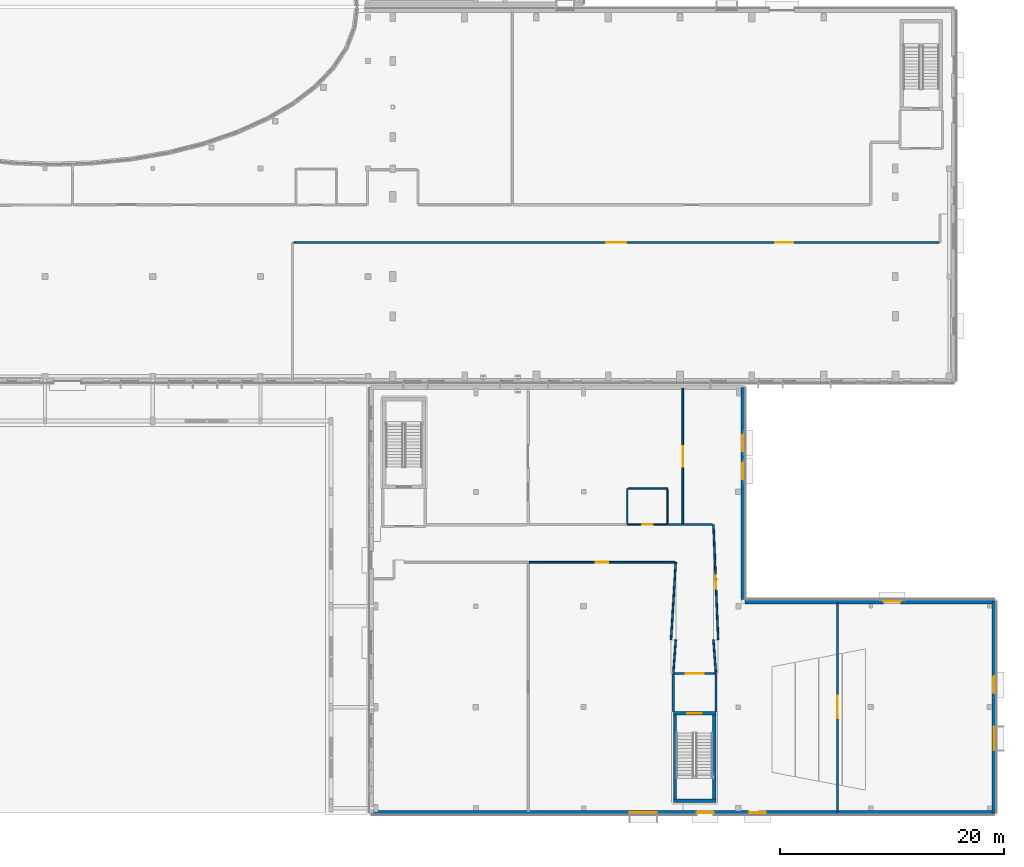
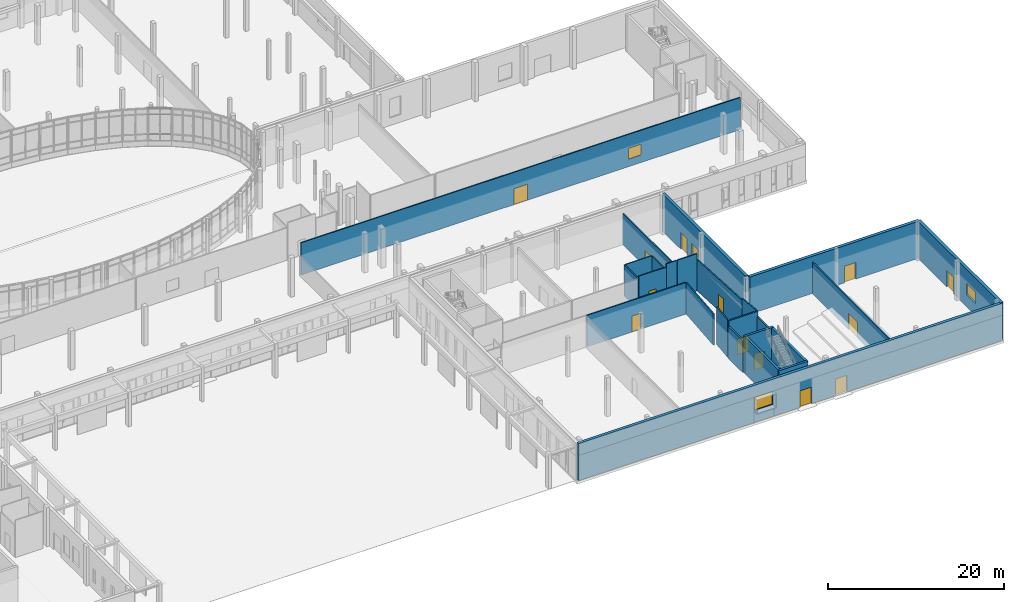
# One storey, part 50 of 84: 25 walls, 14 doors, 3 windows, 17 openings.
"""IFC4 building model written with IfcOpenShell, lengths in metres."""

from ifc_helpers import new_model, si_unit, direction, frame, frame_2d, origin, place, context, subcontext, project, spatial, rectangle, extrude, material, layer, layer_set, type_object, element, fill, save


model = new_model("IFC4")

# Units and contexts
model_context = context("Model", 3, precision=1e-05, world=origin(), true_north=direction((0.0, 1.0)))
body_context = subcontext(model_context, "Body", "Model", "MODEL_VIEW")
ifc_project = project(units=[si_unit("LENGTHUNIT", "METRE"), si_unit("AREAUNIT", "SQUARE_METRE"), si_unit("VOLUMEUNIT", "CUBIC_METRE"), si_unit("PLANEANGLEUNIT", "RADIAN"), si_unit("MASSUNIT", "GRAM", prefix="KILO")], contexts=[model_context])

# Site, building, storey
site_placement = place(None, origin())
site = spatial("IfcSite", under=ifc_project, at=site_placement, CompositionType="ELEMENT")
building_placement = place(site_placement, origin())
building = spatial("IfcBuilding", under=site, at=building_placement, Name="Mzevani Central Library", CompositionType="ELEMENT")
storey_placement = place(building_placement, origin())
storey = spatial("IfcBuildingStorey", under=building, at=storey_placement, Name="L00", CompositionType="ELEMENT", Elevation=0.0)

# Wall
ifc_material_1 = material(Name="Concrete C35/45", Category="concrete")
ifc_layer_1 = layer(ifc_material_1, 0.199951171875, Name="Compartment Wall 200")
ifc_layer_set_1 = layer_set([ifc_layer_1], Name="Concrete C35/45")
wall_type_1 = type_object("IfcWallType", Name="Compartment Wall 200", PredefinedType="STANDARD", material=ifc_layer_set_1)
wall_1_placement = place(storey_placement, frame((139.199951171875, 13.199951171875, 0.0), z_axis=(0.0, 0.0, 1.0), x_axis=(0.0, 1.0, 0.0)))
element("IfcWall", 1, at=wall_1_placement, inside=storey, type_object=wall_type_1, Name="L00 Stair Vestibule C6B Enclosure Wall 1", PredefinedType="STANDARD", context=body_context, shape_type="SweptSolid", body=[
    extrude(rectangle(XDim=3.400146484375, YDim=0.199951171875, at=frame_2d((1.7001953125, 0.0))), origin(), (0.0, 0.0, 1.0), 4.3701171875),
])

# Wall, opening, door
wall_2_placement = place(storey_placement, frame((139.199951171875, 16.60009765625, 0.0), z_axis=(0.0, 0.0, 1.0), x_axis=(1.0, 0.0, 0.0)))
wall_2 = element("IfcWall", 2, at=wall_2_placement, inside=storey, type_object=wall_type_1, Name="L00 Stair Vestibule C6B Enclosure Wall 2", PredefinedType="STANDARD", context=body_context, shape_type="SweptSolid", body=[
    extrude(rectangle(XDim=3.800048828125, YDim=0.199951171875, at=frame_2d((1.89990234375, 0.0))), origin(), (0.0, 0.0, 1.0), 5.139892578125),
])
opening_1_placement = place(wall_2_placement, frame((1.10009765625, 0.0, 0.0)))
opening_1 = element("IfcOpeningElement", 3, at=opening_1_placement, cuts=wall_2, Name="Opening FD-02", PredefinedType="OPENING", context=body_context, shape_type="SweptSolid", body=[
    extrude(rectangle(XDim=1.60009765625, YDim=2.199951171875, at=frame_2d((0.800048828125, 1.10009765625))), frame((0.0, 0.10986328125, 0.0), z_axis=(0.0, -1.0, 0.0), x_axis=(1.0, 0.0, 0.0)), (0.0, 0.0, 1.0), 0.219970703125),
])
ifc_material_2 = material(Name="Fire-rated steel door assembly", Category="steel")
door_type_1 = type_object("IfcDoorType", Name="Fire Lobby Double Door 1600x2200", OperationType="NOTDEFINED", PredefinedType="DOOR", material=ifc_material_2)
door_1_placement = place(opening_1_placement, origin())
door_1 = element("IfcDoor", 4, at=door_1_placement, inside=storey, type_object=door_type_1, Name="L00 Stair Vestibule C6B Smoke-Control Door", OperationType="DOUBLE_DOOR_SINGLE_SWING", OverallHeight=2.199951171875, OverallWidth=1.60009765625, PredefinedType="DOOR", context=body_context, shape_type="SweptSolid", body=[
    extrude(rectangle(XDim=1.60009765625, YDim=2.199951171875, at=frame_2d((0.800048828125, 1.10009765625))), frame((0.0, 0.02490234375, 0.0), z_axis=(0.0, -1.0, 0.0), x_axis=(1.0, 0.0, 0.0)), (0.0, 0.0, 1.0), 0.050048828125),
])
fill(opening_1, door_1)

# Walls
wall_3_placement = place(storey_placement, frame((143.0, 16.60009765625, 0.0), z_axis=(0.0, 0.0, 1.0), x_axis=(0.0, -1.0, 0.0)))
element("IfcWall", 5, at=wall_3_placement, inside=storey, type_object=wall_type_1, Name="L00 Stair Vestibule C6B Enclosure Wall 3", PredefinedType="STANDARD", context=body_context, shape_type="SweptSolid", body=[
    extrude(rectangle(XDim=3.400146484375, YDim=0.199951171875, at=frame_2d((1.7001953125, 0.0))), origin(), (0.0, 0.0, 1.0), 4.3701171875),
])
ifc_material_3 = material(Name="Concrete C40/50", Category="concrete")
ifc_layer_2 = layer(ifc_material_3, 0.300048828125, Name="Core Shear Wall 300")
ifc_layer_set_2 = layer_set([ifc_layer_2], Name="Concrete C40/50")
wall_type_2 = type_object("IfcWallType", Name="Core Shear Wall 300", PredefinedType="SHEAR", material=ifc_layer_set_2)
wall_4_placement = place(storey_placement, frame((143.0, 5.25, 0.0), z_axis=(0.0, 0.0, 1.0), x_axis=(-1.0, 0.0, 0.0)))
element("IfcWall", 6, at=wall_4_placement, inside=storey, type_object=wall_type_2, Name="L00 Core C6B Children's Pavilion East Stair Shear Wall (-y)", PredefinedType="SHEAR", context=body_context, shape_type="SweptSolid", body=[
    extrude(rectangle(XDim=3.800048828125, YDim=0.300048828125, at=frame_2d((1.89990234375, 0.0))), origin(), (0.0, 0.0, 1.0), 5.139892578125),
])
wall_5_placement = place(storey_placement, frame((139.35009765625, 5.10009765625, 0.0), z_axis=(0.0, 0.0, 1.0), x_axis=(0.0, 1.0, 0.0)))
element("IfcWall", 7, at=wall_5_placement, inside=storey, type_object=wall_type_2, Name="L00 Core C6B Children's Pavilion East Stair Shear Wall (-x)", PredefinedType="SHEAR", context=body_context, shape_type="SweptSolid", body=[
    extrude(rectangle(XDim=8.099853515625, YDim=0.300048828125, at=frame_2d((4.0498046875, 0.0))), origin(), (0.0, 0.0, 1.0), 5.139892578125),
])

# Wall, opening, door
wall_6_placement = place(storey_placement, frame((139.199951171875, 13.050048828125, 0.0), z_axis=(0.0, 0.0, 1.0), x_axis=(1.0, 0.0, 0.0)))
wall_6 = element("IfcWall", 8, at=wall_6_placement, inside=storey, type_object=wall_type_2, Name="L00 Core C6B Children's Pavilion East Stair Shear Wall (+y)", PredefinedType="SHEAR", context=body_context, shape_type="SweptSolid", body=[
    extrude(rectangle(XDim=3.800048828125, YDim=0.300048828125, at=frame_2d((1.89990234375, 0.0))), origin(), (0.0, 0.0, 1.0), 5.139892578125),
])
opening_2_placement = place(wall_6_placement, frame((1.25, 0.0, 0.0)))
opening_2 = element("IfcOpeningElement", 9, at=opening_2_placement, cuts=wall_6, Name="Opening FD-01", PredefinedType="OPENING", context=body_context, shape_type="SweptSolid", body=[
    extrude(rectangle(XDim=1.300048828125, YDim=2.199951171875, at=frame_2d((0.64990234375, 1.10009765625))), frame((0.0, 0.16015625, 0.0), z_axis=(0.0, -1.0, 0.0), x_axis=(1.0, 0.0, 0.0)), (0.0, 0.0, 1.0), 0.320068359375),
])
door_type_2 = type_object("IfcDoorType", Name="Fire Stair Door 1300x2200", OperationType="NOTDEFINED", PredefinedType="DOOR", material=ifc_material_2)
door_2_placement = place(opening_2_placement, origin())
door_2 = element("IfcDoor", 10, at=door_2_placement, inside=storey, type_object=door_type_2, Name="L00 ST-12 Protected Exit Stair Door", OperationType="SINGLE_SWING_RIGHT", OverallHeight=2.199951171875, OverallWidth=1.300048828125, PredefinedType="DOOR", context=body_context, shape_type="SweptSolid", body=[
    extrude(rectangle(XDim=1.300048828125, YDim=2.199951171875, at=frame_2d((0.64990234375, 1.10009765625))), frame((0.0, 0.02490234375, 0.0), z_axis=(0.0, -1.0, 0.0), x_axis=(1.0, 0.0, 0.0)), (0.0, 0.0, 1.0), 0.050048828125),
])
fill(opening_2, door_2)

# Wall
wall_7_placement = place(storey_placement, frame((142.85009765625, 13.199951171875, 0.0), z_axis=(0.0, 0.0, 1.0), x_axis=(0.0, -1.0, 0.0)))
element("IfcWall", 11, at=wall_7_placement, inside=storey, type_object=wall_type_2, Name="L00 Core C6B Children's Pavilion East Stair Shear Wall (+x)", PredefinedType="SHEAR", context=body_context, shape_type="SweptSolid", body=[
    extrude(rectangle(XDim=8.099853515625, YDim=0.300048828125, at=frame_2d((4.0498046875, 0.0))), origin(), (0.0, 0.0, 1.0), 5.139892578125),
])

# Wall, openings, door, window
ifc_material_4 = material(Name="Precast concrete C40/50", Category="concrete")
ifc_layer_3 = layer(ifc_material_4, 0.3798828125, Name="Exterior Thermal Concrete Wall 380")
ifc_layer_set_3 = layer_set([ifc_layer_3], Name="Precast concrete C40/50")
wall_type_3 = type_object("IfcWallType", Name="Exterior Thermal Concrete Wall 380", PredefinedType="STANDARD", material=ifc_layer_set_3)
wall_8_placement = place(storey_placement, frame((167.81005859375, 23.010009765625, 0.0), z_axis=(0.0, 0.0, 1.0), x_axis=(0.0, -1.0, 0.0)))
wall_8 = element("IfcWall", 12, at=wall_8_placement, inside=storey, type_object=wall_type_3, Name="L00 V6 Exterior Thermal Wall (100)", PredefinedType="STANDARD", context=body_context, shape_type="SweptSolid", body=[
    extrude(rectangle(XDim=18.820068359375, YDim=0.3798828125, at=frame_2d((9.41015625, 0.0))), origin(), (0.0, 0.0, 1.0), 5.139892578125),
])
opening_3_placement = place(wall_8_placement, frame((6.659912109375, 0.0, 0.0)))
opening_3 = element("IfcOpeningElement", 13, at=opening_3_placement, cuts=wall_8, Name="Opening ED-01", PredefinedType="OPENING", context=body_context, shape_type="SweptSolid", body=[
    extrude(rectangle(XDim=1.5, YDim=2.300048828125, at=frame_2d((0.75, 1.14990234375))), frame((0.0, 0.199951171875, 0.0), z_axis=(0.0, -1.0, 0.0), x_axis=(1.0, 0.0, 0.0)), (0.0, 0.0, 1.0), 0.39990234375),
])
opening_4_placement = place(wall_8_placement, frame((11.136474609375, 0.0, 1.64990234375)))
opening_4 = element("IfcOpeningElement", 14, at=opening_4_placement, cuts=wall_8, Name="Opening W-16", PredefinedType="OPENING", context=body_context, shape_type="SweptSolid", body=[
    extrude(rectangle(XDim=2.10009765625, YDim=1.60009765625, at=frame_2d((1.050048828125, 0.800048828125))), frame((0.0, 0.199951171875, 0.0), z_axis=(0.0, -1.0, 0.0), x_axis=(1.0, 0.0, 0.0)), (0.0, 0.0, 1.0), 0.39990234375),
])
ifc_material_5 = material(Name="Anodized architectural bronze")
door_type_3 = type_object("IfcDoorType", Name="Exterior Final Exit Door 1500x2300", OperationType="NOTDEFINED", PredefinedType="DOOR", material=ifc_material_5)
door_3_placement = place(opening_3_placement, origin())
door_3 = element("IfcDoor", 15, at=door_3_placement, inside=storey, type_object=door_type_3, Name="L00 V6 Exterior Entrance / Exit Door (38)", OperationType="SINGLE_SWING_LEFT", OverallHeight=2.300048828125, OverallWidth=1.5, PredefinedType="DOOR", context=body_context, shape_type="SweptSolid", body=[
    extrude(rectangle(XDim=1.5, YDim=2.300048828125, at=frame_2d((0.75, 1.14990234375))), frame((0.0, 0.02490234375, 0.0), z_axis=(0.0, -1.0, 0.0), x_axis=(1.0, 0.0, 0.0)), (0.0, 0.0, 1.0), 0.050048828125),
])
fill(opening_3, door_3)
ifc_material_6 = material(Name="Low-E triple glazing glass", Category="glass")
window_type_1 = type_object("IfcWindowType", Name="Reading Clerestory Window 2100x1600", PartitioningType="SINGLE_PANEL", PredefinedType="WINDOW", material=ifc_material_6)
window_1_placement = place(opening_4_placement, origin())
window_1 = element("IfcWindow", 16, at=window_1_placement, inside=storey, type_object=window_type_1, Name="L00 V6 Deep-Reveal Window W-16 (192)", OverallHeight=1.60009765625, OverallWidth=2.10009765625, PartitioningType="SINGLE_PANEL", PredefinedType="WINDOW", context=body_context, shape_type="SweptSolid", body=[
    extrude(rectangle(XDim=2.10009765625, YDim=1.60009765625, at=frame_2d((1.050048828125, 0.800048828125))), frame((0.0, 0.030029296875, 0.0), z_axis=(0.0, -1.0, 0.0), x_axis=(1.0, 0.0, 0.0)), (0.0, 0.0, 1.0), 0.06005859375),
])
fill(opening_4, window_1)

# Wall, openings, doors, window
wall_9_placement = place(storey_placement, frame((167.81005859375, 4.18994140625, 0.0), z_axis=(0.0, 0.0, 1.0), x_axis=(-1.0, 0.0, 0.0)))
wall_9 = element("IfcWall", 17, at=wall_9_placement, inside=storey, type_object=wall_type_3, Name="L00 V6 Exterior Thermal Wall (101)", PredefinedType="STANDARD", context=body_context, shape_type="SweptSolid", body=[
    extrude(rectangle(XDim=55.52001953125, YDim=0.3798828125, at=frame_2d((27.760009765625, 0.0))), origin(), (0.0, 0.0, 1.0), 5.139892578125),
])
opening_5_placement = place(wall_9_placement, frame((25.010009765625, 0.0, 0.0)))
opening_5 = element("IfcOpeningElement", 18, at=opening_5_placement, cuts=wall_9, Name="Opening ED-01", PredefinedType="OPENING", context=body_context, shape_type="SweptSolid", body=[
    extrude(rectangle(XDim=1.5, YDim=2.300048828125, at=frame_2d((0.75, 1.14990234375))), frame((0.0, 0.199951171875, 0.0), z_axis=(0.0, -1.0, 0.0), x_axis=(1.0, 0.0, 0.0)), (0.0, 0.0, 1.0), 0.39990234375),
])
opening_6_placement = place(wall_9_placement, frame((30.0703125, 0.0, 1.64990234375)))
opening_6 = element("IfcOpeningElement", 19, at=opening_6_placement, cuts=wall_9, Name="Opening W-17", PredefinedType="OPENING", context=body_context, shape_type="SweptSolid", body=[
    extrude(rectangle(XDim=2.39990234375, YDim=1.800048828125, at=frame_2d((1.199951171875, 0.89990234375))), frame((0.0, 0.199951171875, 0.0), z_axis=(0.0, -1.0, 0.0), x_axis=(1.0, 0.0, 0.0)), (0.0, 0.0, 1.0), 0.39990234375),
])
opening_7_placement = place(wall_9_placement, frame((20.360107421875, 0.0, 0.0)))
opening_7 = element("IfcOpeningElement", 20, at=opening_7_placement, cuts=wall_9, Name="Opening ED-01", PredefinedType="OPENING", context=body_context, shape_type="SweptSolid", body=[
    extrude(rectangle(XDim=1.5, YDim=2.300048828125, at=frame_2d((0.75, 1.14990234375))), frame((0.0, 0.199951171875, 0.0), z_axis=(0.0, -1.0, 0.0), x_axis=(1.0, 0.0, 0.0)), (0.0, 0.0, 1.0), 0.39990234375),
])
door_4_placement = place(opening_5_placement, origin())
door_4 = element("IfcDoor", 21, at=door_4_placement, inside=storey, type_object=door_type_3, Name="L00 V6 Exterior Entrance / Exit Door (39)", OperationType="SINGLE_SWING_RIGHT", OverallHeight=2.300048828125, OverallWidth=1.5, PredefinedType="DOOR", context=body_context, shape_type="SweptSolid", body=[
    extrude(rectangle(XDim=1.5, YDim=2.300048828125, at=frame_2d((0.75, 1.14990234375))), frame((0.0, 0.02490234375, 0.0), z_axis=(0.0, -1.0, 0.0), x_axis=(1.0, 0.0, 0.0)), (0.0, 0.0, 1.0), 0.050048828125),
])
fill(opening_5, door_4)
door_5_placement = place(opening_7_placement, origin())
door_5 = element("IfcDoor", 22, at=door_5_placement, inside=storey, type_object=door_type_3, Name="L00 ST-12 Final Grade Exit Discharge Door", OperationType="SINGLE_SWING_RIGHT", OverallHeight=2.300048828125, OverallWidth=1.5, PredefinedType="DOOR", context=body_context, shape_type="SweptSolid", body=[
    extrude(rectangle(XDim=1.5, YDim=2.300048828125, at=frame_2d((0.75, 1.14990234375))), frame((0.0, 0.02490234375, 0.0), z_axis=(0.0, -1.0, 0.0), x_axis=(1.0, 0.0, 0.0)), (0.0, 0.0, 1.0), 0.050048828125),
])
fill(opening_7, door_5)
window_type_2 = type_object("IfcWindowType", Name="Reading Clerestory Window 2400x1800", PartitioningType="SINGLE_PANEL", PredefinedType="WINDOW", material=ifc_material_6)
window_2_placement = place(opening_6_placement, origin())
window_2 = element("IfcWindow", 23, at=window_2_placement, inside=storey, type_object=window_type_2, Name="L00 V6 Deep-Reveal Window W-17 (193)", OverallHeight=1.800048828125, OverallWidth=2.39990234375, PartitioningType="SINGLE_PANEL", PredefinedType="WINDOW", context=body_context, shape_type="SweptSolid", body=[
    extrude(rectangle(XDim=2.39990234375, YDim=1.800048828125, at=frame_2d((1.199951171875, 0.89990234375))), frame((0.0, 0.030029296875, 0.0), z_axis=(0.0, -1.0, 0.0), x_axis=(1.0, 0.0, 0.0)), (0.0, 0.0, 1.0), 0.06005859375),
])
fill(opening_6, window_2)

# Wall, openings, doors
wall_10_placement = place(storey_placement, frame((145.409912109375, 42.110107421875, 0.0), z_axis=(0.0, 0.0, 1.0), x_axis=(0.0, -1.0, 0.0)))
wall_10 = element("IfcWall", 24, at=wall_10_placement, inside=storey, type_object=wall_type_3, Name="L00 V6 Exterior Thermal Wall (104)", PredefinedType="STANDARD", context=body_context, shape_type="SweptSolid", body=[
    extrude(rectangle(XDim=18.91015625, YDim=0.3798828125, at=frame_2d((9.455078125, 0.0))), origin(), (0.0, 0.0, 1.0), 5.139892578125),
])
opening_8_placement = place(wall_10_placement, frame((6.705078125, 0.0, 0.0)))
opening_8 = element("IfcOpeningElement", 25, at=opening_8_placement, cuts=wall_10, Name="Opening ED-01", PredefinedType="OPENING", context=body_context, shape_type="SweptSolid", body=[
    extrude(rectangle(XDim=1.5, YDim=2.300048828125, at=frame_2d((0.75, 1.14990234375))), frame((0.0, 0.199951171875, 0.0), z_axis=(0.0, -1.0, 0.0), x_axis=(1.0, 0.0, 0.0)), (0.0, 0.0, 1.0), 0.39990234375),
])
opening_9_placement = place(wall_10_placement, frame((4.2099609375, 0.0, 0.0)))
opening_9 = element("IfcOpeningElement", 26, at=opening_9_placement, cuts=wall_10, Name="Opening ED-01", PredefinedType="OPENING", context=body_context, shape_type="SweptSolid", body=[
    extrude(rectangle(XDim=1.5, YDim=2.300048828125, at=frame_2d((0.75, 1.14990234375))), frame((0.0, 0.199951171875, 0.0), z_axis=(0.0, -1.0, 0.0), x_axis=(1.0, 0.0, 0.0)), (0.0, 0.0, 1.0), 0.39990234375),
])
door_6_placement = place(opening_8_placement, origin())
door_6 = element("IfcDoor", 27, at=door_6_placement, inside=storey, type_object=door_type_3, Name="L00 V6 Exterior Entrance / Exit Door (42)", OperationType="SINGLE_SWING_LEFT", OverallHeight=2.300048828125, OverallWidth=1.5, PredefinedType="DOOR", context=body_context, shape_type="SweptSolid", body=[
    extrude(rectangle(XDim=1.5, YDim=2.300048828125, at=frame_2d((0.75, 1.14990234375))), frame((0.0, 0.02490234375, 0.0), z_axis=(0.0, -1.0, 0.0), x_axis=(1.0, 0.0, 0.0)), (0.0, 0.0, 1.0), 0.050048828125),
])
fill(opening_8, door_6)
door_7_placement = place(opening_9_placement, origin())
door_7 = element("IfcDoor", 28, at=door_7_placement, inside=storey, type_object=door_type_3, Name="L00 ST-11 Final Grade Exit Discharge Door", OperationType="SINGLE_SWING_LEFT", OverallHeight=2.300048828125, OverallWidth=1.5, PredefinedType="DOOR", context=body_context, shape_type="SweptSolid", body=[
    extrude(rectangle(XDim=1.5, YDim=2.300048828125, at=frame_2d((0.75, 1.14990234375))), frame((0.0, 0.02490234375, 0.0), z_axis=(0.0, -1.0, 0.0), x_axis=(1.0, 0.0, 0.0)), (0.0, 0.0, 1.0), 0.050048828125),
])
fill(opening_9, door_7)

# Wall, opening, door
wall_11_placement = place(storey_placement, frame((145.60009765625, 23.010009765625, 0.0), z_axis=(0.0, 0.0, 1.0), x_axis=(1.0, 0.0, 0.0)))
wall_11 = element("IfcWall", 29, at=wall_11_placement, inside=storey, type_object=wall_type_3, Name="L00 V6 Exterior Thermal Wall (105)", PredefinedType="STANDARD", context=body_context, shape_type="SweptSolid", body=[
    extrude(rectangle(XDim=22.2099609375, YDim=0.3798828125, at=frame_2d((11.10498046875, 0.0))), origin(), (0.0, 0.0, 1.0), 5.139892578125),
])
opening_10_placement = place(wall_11_placement, frame((12.35498046875, 0.0, 0.0)))
opening_10 = element("IfcOpeningElement", 30, at=opening_10_placement, cuts=wall_11, Name="Opening ED-01", PredefinedType="OPENING", context=body_context, shape_type="SweptSolid", body=[
    extrude(rectangle(XDim=1.5, YDim=2.300048828125, at=frame_2d((0.75, 1.14990234375))), frame((0.0, 0.199951171875, 0.0), z_axis=(0.0, -1.0, 0.0), x_axis=(1.0, 0.0, 0.0)), (0.0, 0.0, 1.0), 0.39990234375),
])
door_8_placement = place(opening_10_placement, origin())
door_8 = element("IfcDoor", 31, at=door_8_placement, inside=storey, type_object=door_type_3, Name="L00 V6 Exterior Entrance / Exit Door (43)", OperationType="SINGLE_SWING_RIGHT", OverallHeight=2.300048828125, OverallWidth=1.5, PredefinedType="DOOR", context=body_context, shape_type="SweptSolid", body=[
    extrude(rectangle(XDim=1.5, YDim=2.300048828125, at=frame_2d((0.75, 1.14990234375))), frame((0.0, 0.02490234375, 0.0), z_axis=(0.0, -1.0, 0.0), x_axis=(1.0, 0.0, 0.0)), (0.0, 0.0, 1.0), 0.050048828125),
])
fill(opening_10, door_8)

ifc_material_7 = material(Name="Fire-rated gypsum board", Category="gypsum")
ifc_layer_4 = layer(ifc_material_7, 0.1201171875, Name="Partition Acoustic 120")
ifc_layer_set_4 = layer_set([ifc_layer_4], Name="Fire-rated gypsum board")
wall_type_4 = type_object("IfcWallType", Name="Partition Acoustic 120", PredefinedType="PARTITIONING", material=ifc_layer_set_4)
wall_12_placement = place(storey_placement, frame((138.68994140625, 29.8798828125, 0.0), z_axis=(0.0, 0.0, 1.0), x_axis=(-1.0, 0.0, 0.0)))
wall_12 = element("IfcWall", 32, at=wall_12_placement, inside=storey, type_object=wall_type_4, Name="L00 V6 Partition IW-02 (169)", PredefinedType="PARTITIONING", context=body_context, shape_type="SweptSolid", body=[
    extrude(rectangle(XDim=3.599853515625, YDim=0.1201171875, at=frame_2d((1.7998046875, 0.0))), origin(), (0.0, 0.0, 1.0), 4.669921875),
])
opening_11_placement = place(wall_12_placement, frame((1.324951171875, 0.0, 0.0)))
opening_11 = element("IfcOpeningElement", 33, at=opening_11_placement, cuts=wall_12, Name="Opening ID-02", PredefinedType="OPENING", context=body_context, shape_type="SweptSolid", body=[
    extrude(rectangle(XDim=0.949951171875, YDim=2.14990234375, at=frame_2d((0.47509765625, 1.074951171875))), frame((0.0, 0.070068359375, 0.0), z_axis=(0.0, -1.0, 0.0), x_axis=(1.0, 0.0, 0.0)), (0.0, 0.0, 1.0), 0.14013671875),
])
ifc_material_8 = material(Name="Fire-rated solid oak leaf")
door_type_4 = type_object("IfcDoorType", Name="Accessible WC Door 950x2150", OperationType="NOTDEFINED", PredefinedType="DOOR", material=ifc_material_8)
door_9_placement = place(opening_11_placement, origin())
door_9 = element("IfcDoor", 34, at=door_9_placement, inside=storey, type_object=door_type_4, Name="L00 Accessible WC and Public Toilet V6 Door", OperationType="SINGLE_SWING_RIGHT", OverallHeight=2.14990234375, OverallWidth=0.949951171875, PredefinedType="DOOR", context=body_context, shape_type="SweptSolid", body=[
    extrude(rectangle(XDim=0.949951171875, YDim=2.14990234375, at=frame_2d((0.47509765625, 1.074951171875))), frame((0.0, 0.02490234375, 0.0), z_axis=(0.0, -1.0, 0.0), x_axis=(1.0, 0.0, 0.0)), (0.0, 0.0, 1.0), 0.050048828125),
])
fill(opening_11, door_9)

# Walls
wall_13_placement = place(storey_placement, frame((135.090087890625, 29.97998046875, 0.0), z_axis=(0.0, 0.0, 1.0), x_axis=(0.0, 1.0, 0.0)))
element("IfcWall", 35, at=wall_13_placement, inside=storey, type_object=wall_type_4, Name="L00 V6 Partition IW-02 (170)", PredefinedType="PARTITIONING", context=body_context, shape_type="SweptSolid", body=[
    extrude(rectangle(XDim=3.10009765625, YDim=0.1201171875, at=frame_2d((1.550048828125, 0.0))), origin(), (0.0, 0.0, 1.0), 4.320068359375),
])
wall_14_placement = place(storey_placement, frame((135.18994140625, 33.080078125, 0.0), z_axis=(0.0, 0.0, 1.0), x_axis=(1.0, 0.0, 0.0)))
element("IfcWall", 36, at=wall_14_placement, inside=storey, type_object=wall_type_4, Name="L00 V6 Partition IW-02 (171)", PredefinedType="PARTITIONING", context=body_context, shape_type="SweptSolid", body=[
    extrude(rectangle(XDim=3.5, YDim=0.1201171875, at=frame_2d((1.75, 0.0))), origin(), (0.0, 0.0, 1.0), 4.320068359375),
])
wall_15_placement = place(storey_placement, frame((138.68994140625, 32.97998046875, 0.0), z_axis=(0.0, 0.0, 1.0), x_axis=(0.0, -1.0, 0.0)))
element("IfcWall", 37, at=wall_15_placement, inside=storey, type_object=wall_type_4, Name="L00 V6 Partition IW-02 (172)", PredefinedType="PARTITIONING", context=body_context, shape_type="SweptSolid", body=[
    extrude(rectangle(XDim=3.0, YDim=0.1201171875, at=frame_2d((1.5, 0.0))), origin(), (0.0, 0.0, 1.0), 4.320068359375),
])

# Wall, openings, door, window
ifc_layer_5 = layer(ifc_material_7, 0.14990234375, Name="Partition Study 150")
ifc_layer_set_5 = layer_set([ifc_layer_5], Name="Fire-rated gypsum board")
wall_type_5 = type_object("IfcWallType", Name="Partition Study 150", PredefinedType="PARTITIONING", material=ifc_layer_set_5)
wall_16_placement = place(storey_placement, frame((105.35009765625, 55.02001953125, 0.0), z_axis=(0.0, 0.0, 1.0), x_axis=(1.0, 0.0, 0.0)))
wall_16 = element("IfcWall", 38, at=wall_16_placement, inside=storey, type_object=wall_type_5, Name="L00 V1 Partition IW-03 (77)", PredefinedType="PARTITIONING", context=body_context, shape_type="SweptSolid", body=[
    extrude(rectangle(XDim=57.52978515625, YDim=0.14990234375, at=frame_2d((28.764892578125, 0.0))), origin(), (0.0, 0.0, 1.0), 4.469970703125),
])
opening_12_placement = place(wall_16_placement, frame((27.864990234375, 0.0, 0.0)))
opening_12 = element("IfcOpeningElement", 39, at=opening_12_placement, cuts=wall_16, Name="Opening FD-06", PredefinedType="OPENING", context=body_context, shape_type="SweptSolid", body=[
    extrude(rectangle(XDim=1.800048828125, YDim=2.199951171875, at=frame_2d((0.89990234375, 1.10009765625))), frame((0.0, 0.0849609375, 0.0), z_axis=(0.0, -1.0, 0.0), x_axis=(1.0, 0.0, 0.0)), (0.0, 0.0, 1.0), 0.169921875),
])
opening_13_placement = place(wall_16_placement, frame((42.9228515625, 0.0, 1.050048828125)))
opening_13 = element("IfcOpeningElement", 40, at=opening_13_placement, cuts=wall_16, Name="Opening IW-W01", PredefinedType="OPENING", context=body_context, shape_type="SweptSolid", body=[
    extrude(rectangle(XDim=1.60009765625, YDim=1.5, at=frame_2d((0.800048828125, 0.75))), frame((0.0, 0.0849609375, 0.0), z_axis=(0.0, -1.0, 0.0), x_axis=(1.0, 0.0, 0.0)), (0.0, 0.0, 1.0), 0.169921875),
])
door_type_5 = type_object("IfcDoorType", Name="Fire Corridor Double Door 1800x2200", OperationType="NOTDEFINED", PredefinedType="DOOR", material=ifc_material_2)
door_10_placement = place(opening_12_placement, origin())
door_10 = element("IfcDoor", 41, at=door_10_placement, inside=storey, type_object=door_type_5, Name="L00 Main Sunlit Reading Hall Door", OperationType="DOUBLE_DOOR_SINGLE_SWING", OverallHeight=2.199951171875, OverallWidth=1.800048828125, PredefinedType="DOOR", context=body_context, shape_type="SweptSolid", body=[
    extrude(rectangle(XDim=1.800048828125, YDim=2.199951171875, at=frame_2d((0.89990234375, 1.10009765625))), frame((0.0, 0.02490234375, 0.0), z_axis=(0.0, -1.0, 0.0), x_axis=(1.0, 0.0, 0.0)), (0.0, 0.0, 1.0), 0.050048828125),
])
fill(opening_12, door_10)
window_type_3 = type_object("IfcWindowType", Name="Interior Borrowed Light 1600x1500", PartitioningType="SINGLE_PANEL", PredefinedType="WINDOW", material=ifc_material_6)
window_3_placement = place(opening_13_placement, origin())
window_3 = element("IfcWindow", 42, at=window_3_placement, inside=storey, type_object=window_type_3, Name="L00 Main Sunlit Reading Hall Acoustic Borrowed Light", OverallHeight=1.5, OverallWidth=1.60009765625, PartitioningType="SINGLE_PANEL", PredefinedType="WINDOW", context=body_context, shape_type="SweptSolid", body=[
    extrude(rectangle(XDim=1.60009765625, YDim=1.5, at=frame_2d((0.800048828125, 0.75))), frame((0.0, 0.030029296875, 0.0), z_axis=(0.0, -1.0, 0.0), x_axis=(1.0, 0.0, 0.0)), (0.0, 0.0, 1.0), 0.06005859375),
])
fill(opening_13, window_3)

# Walls
wall_17_placement = place(storey_placement, frame((139.419921875, 26.52001953125, 0.0), z_axis=(0.0, 0.0, 1.0), x_axis=(-0.060571614063, -0.998163854069, 0.0)))
element("IfcWall", 43, at=wall_17_placement, inside=storey, type_object=wall_type_5, Name="L00 V6 Partition IW-03 (179)", PredefinedType="PARTITIONING", context=body_context, shape_type="SweptSolid", body=[
    extrude(rectangle(XDim=6.9326171875, YDim=0.14990234375, at=frame_2d((3.46630859375, 0.0))), origin(), (0.0, 0.0, 1.0), 4.320068359375),
])
wall_18_placement = place(storey_placement, frame((139.419921875, 19.60009765625, 0.0), z_axis=(0.0, 0.0, 1.0), x_axis=(-0.073120239762, -0.997323132459, 0.0)))
element("IfcWall", 44, at=wall_18_placement, inside=storey, type_object=wall_type_5, Name="L00 V6 Partition IW-03 (180)", PredefinedType="PARTITIONING", context=body_context, shape_type="SweptSolid", body=[
    extrude(rectangle(XDim=2.908203125, YDim=0.14990234375, at=frame_2d((1.4541015625, 0.0))), origin(), (0.0, 0.0, 1.0), 5.139892578125),
])

# Wall, opening, door
wall_19_placement = place(storey_placement, frame((126.364990234375, 26.52001953125, 0.0), z_axis=(0.0, 0.0, 1.0), x_axis=(1.0, 0.0, 0.0)))
wall_19 = element("IfcWall", 45, at=wall_19_placement, inside=storey, type_object=wall_type_5, Name="L00 V6 Partition IW-03 (181)", PredefinedType="PARTITIONING", context=body_context, shape_type="SweptSolid", body=[
    extrude(rectangle(XDim=12.955078125, YDim=0.14990234375, at=frame_2d((6.4775390625, 0.0))), origin(), (0.0, 0.0, 1.0), 4.3701171875),
])
opening_14_placement = place(wall_19_placement, frame((5.902587890625, 0.0, 0.0)))
opening_14 = element("IfcOpeningElement", 46, at=opening_14_placement, cuts=wall_19, Name="Opening ID-09", PredefinedType="OPENING", context=body_context, shape_type="SweptSolid", body=[
    extrude(rectangle(XDim=1.14990234375, YDim=2.199951171875, at=frame_2d((0.574951171875, 1.10009765625))), frame((0.0, 0.0849609375, 0.0), z_axis=(0.0, -1.0, 0.0), x_axis=(1.0, 0.0, 0.0)), (0.0, 0.0, 1.0), 0.169921875),
])
door_type_6 = type_object("IfcDoorType", Name="Community Room Door 1150x2200", OperationType="NOTDEFINED", PredefinedType="DOOR", material=ifc_material_8)
door_11_placement = place(opening_14_placement, origin())
door_11 = element("IfcDoor", 47, at=door_11_placement, inside=storey, type_object=door_type_6, Name="L00 Family Quiet Nursing and Care Room Door", OperationType="SINGLE_SWING_RIGHT", OverallHeight=2.199951171875, OverallWidth=1.14990234375, PredefinedType="DOOR", context=body_context, shape_type="SweptSolid", body=[
    extrude(rectangle(XDim=1.14990234375, YDim=2.199951171875, at=frame_2d((0.574951171875, 1.10009765625))), frame((0.0, 0.02490234375, 0.0), z_axis=(0.0, -1.0, 0.0), x_axis=(1.0, 0.0, 0.0)), (0.0, 0.0, 1.0), 0.050048828125),
])
fill(opening_14, door_11)

wall_20_placement = place(storey_placement, frame((140.050048828125, 42.010009765625, 0.0), z_axis=(0.0, 0.0, 1.0), x_axis=(0.0, -1.0, 0.0)))
wall_20 = element("IfcWall", 48, at=wall_20_placement, inside=storey, type_object=wall_type_5, Name="L00 V6 Partition IW-03 (183)", PredefinedType="PARTITIONING", context=body_context, shape_type="SweptSolid", body=[
    extrude(rectangle(XDim=12.130126953125, YDim=0.14990234375, at=frame_2d((6.06494140625, 0.0))), origin(), (0.0, 0.0, 1.0), 4.320068359375),
])
opening_15_placement = place(wall_20_placement, frame((5.1650390625, 0.0, 0.0)))
opening_15 = element("IfcOpeningElement", 49, at=opening_15_placement, cuts=wall_20, Name="Opening FD-06", PredefinedType="OPENING", context=body_context, shape_type="SweptSolid", body=[
    extrude(rectangle(XDim=1.800048828125, YDim=2.199951171875, at=frame_2d((0.89990234375, 1.10009765625))), frame((0.0, 0.0849609375, 0.0), z_axis=(0.0, -1.0, 0.0), x_axis=(1.0, 0.0, 0.0)), (0.0, 0.0, 1.0), 0.169921875),
])
door_12_placement = place(opening_15_placement, origin())
door_12 = element("IfcDoor", 50, at=door_12_placement, inside=storey, type_object=door_type_5, Name="L00 Youth Homework Commons Door", OperationType="DOUBLE_DOOR_SINGLE_SWING", OverallHeight=2.199951171875, OverallWidth=1.800048828125, PredefinedType="DOOR", context=body_context, shape_type="SweptSolid", body=[
    extrude(rectangle(XDim=1.800048828125, YDim=2.199951171875, at=frame_2d((0.89990234375, 1.10009765625))), frame((0.0, 0.02490234375, 0.0), z_axis=(0.0, -1.0, 0.0), x_axis=(1.0, 0.0, 0.0)), (0.0, 0.0, 1.0), 0.050048828125),
])
fill(opening_15, door_12)

# Walls
wall_21_placement = place(storey_placement, frame((140.050048828125, 29.8798828125, 0.0), z_axis=(0.0, 0.0, 1.0), x_axis=(-1.0, 0.0, 0.0)))
element("IfcWall", 51, at=wall_21_placement, inside=storey, type_object=wall_type_5, Name="L00 V6 Partition IW-03 (184)", PredefinedType="PARTITIONING", context=body_context, shape_type="SweptSolid", body=[
    extrude(rectangle(XDim=1.360107421875, YDim=0.14990234375, at=frame_2d((0.68017578125, 0.0))), origin(), (0.0, 0.0, 1.0), 5.139892578125),
])
wall_22_placement = place(storey_placement, frame((142.99267578125, 16.69970703125, 0.0), z_axis=(0.0, 0.0, 1.0), x_axis=(-0.073120239762, 0.997323132459, 0.0)))
element("IfcWall", 52, at=wall_22_placement, inside=storey, type_object=wall_type_5, Name="L00 V6 Partition IW-03 (185)", PredefinedType="PARTITIONING", context=body_context, shape_type="SweptSolid", body=[
    extrude(rectangle(XDim=2.908203125, YDim=0.14990234375, at=frame_2d((1.4541015625, 0.0))), origin(), (0.0, 0.0, 1.0), 5.139892578125),
])

# Wall, opening, door
wall_23_placement = place(storey_placement, frame((143.199951171875, 19.60009765625, 0.0), z_axis=(0.0, 0.0, 1.0), x_axis=(-0.040815245864, 0.999166710667, 0.0)))
wall_23 = element("IfcWall", 53, at=wall_23_placement, inside=storey, type_object=wall_type_5, Name="L00 V6 Partition IW-03 (186)", PredefinedType="PARTITIONING", context=body_context, shape_type="SweptSolid", body=[
    extrude(rectangle(XDim=10.288330078125, YDim=0.14990234375, at=frame_2d((5.14404296875, 0.0))), origin(), (0.0, 0.0, 1.0), 4.320068359375),
])
opening_16_placement = place(wall_23_placement, frame((4.5693359375, 0.0, 0.0)))
opening_16 = element("IfcOpeningElement", 54, at=opening_16_placement, cuts=wall_23, Name="Opening ID-09", PredefinedType="OPENING", context=body_context, shape_type="SweptSolid", body=[
    extrude(rectangle(XDim=1.14990234375, YDim=2.199951171875, at=frame_2d((0.574951171875, 1.10009765625))), frame((0.0, 0.0849609375, 0.0), z_axis=(0.0, -1.0, 0.0), x_axis=(1.0, 0.0, 0.0)), (0.0, 0.0, 1.0), 0.169921875),
])
door_13_placement = place(opening_16_placement, origin())
door_13 = element("IfcDoor", 55, at=door_13_placement, inside=storey, type_object=door_type_6, Name="L00 Children's Picture-Book Reading Room 2 Door", OperationType="SINGLE_SWING_LEFT", OverallHeight=2.199951171875, OverallWidth=1.14990234375, PredefinedType="DOOR", context=body_context, shape_type="SweptSolid", body=[
    extrude(rectangle(XDim=1.14990234375, YDim=2.199951171875, at=frame_2d((0.574951171875, 1.10009765625))), frame((0.0, 0.02490234375, 0.0), z_axis=(0.0, -1.0, 0.0), x_axis=(1.0, 0.0, 0.0)), (0.0, 0.0, 1.0), 0.050048828125),
])
fill(opening_16, door_13)

# Wall
wall_24_placement = place(storey_placement, frame((142.679931640625, 29.8798828125, 0.0), z_axis=(0.0, 0.0, 1.0), x_axis=(-1.0, 0.0, 0.0)))
element("IfcWall", 56, at=wall_24_placement, inside=storey, type_object=wall_type_5, Name="L00 V6 Partition IW-03 (187)", PredefinedType="PARTITIONING", context=body_context, shape_type="SweptSolid", body=[
    extrude(rectangle(XDim=2.530029296875, YDim=0.14990234375, at=frame_2d((1.26513671875, 0.0))), origin(), (0.0, 0.0, 1.0), 5.139892578125),
])

# Wall, opening, door
wall_25_placement = place(storey_placement, frame((153.8349609375, 22.909912109375, 0.0), z_axis=(0.0, 0.0, 1.0), x_axis=(0.0, -1.0, 0.0)))
wall_25 = element("IfcWall", 57, at=wall_25_placement, inside=storey, type_object=wall_type_5, Name="L00 V6 Partition IW-03 (188)", PredefinedType="PARTITIONING", context=body_context, shape_type="SweptSolid", body=[
    extrude(rectangle(XDim=18.619873046875, YDim=0.14990234375, at=frame_2d((9.31005859375, 0.0))), origin(), (0.0, 0.0, 1.0), 4.320068359375),
])
opening_17_placement = place(wall_25_placement, frame((8.31005859375, 0.0, 0.0)))
opening_17 = element("IfcOpeningElement", 58, at=opening_17_placement, cuts=wall_25, Name="Opening FD-07", PredefinedType="OPENING", context=body_context, shape_type="SweptSolid", body=[
    extrude(rectangle(XDim=2.0, YDim=2.25, at=frame_2d((1.0, 1.125))), frame((0.0, 0.0849609375, 0.0), z_axis=(0.0, -1.0, 0.0), x_axis=(1.0, 0.0, 0.0)), (0.0, 0.0, 1.0), 0.169921875),
])
door_type_7 = type_object("IfcDoorType", Name="Fire Auditorium Exit Door 2000x2250", OperationType="NOTDEFINED", PredefinedType="DOOR", material=ifc_material_2)
door_14_placement = place(opening_17_placement, origin())
door_14 = element("IfcDoor", 59, at=door_14_placement, inside=storey, type_object=door_type_7, Name="L00 Storytelling Amphitheatre 3 Door", OperationType="DOUBLE_DOOR_SINGLE_SWING", OverallHeight=2.25, OverallWidth=2.0, PredefinedType="DOOR", context=body_context, shape_type="SweptSolid", body=[
    extrude(rectangle(XDim=2.0, YDim=2.25, at=frame_2d((1.0, 1.125))), frame((0.0, 0.02490234375, 0.0), z_axis=(0.0, -1.0, 0.0), x_axis=(1.0, 0.0, 0.0)), (0.0, 0.0, 1.0), 0.050048828125),
])
fill(opening_17, door_14)

save(model, "model.ifc")
